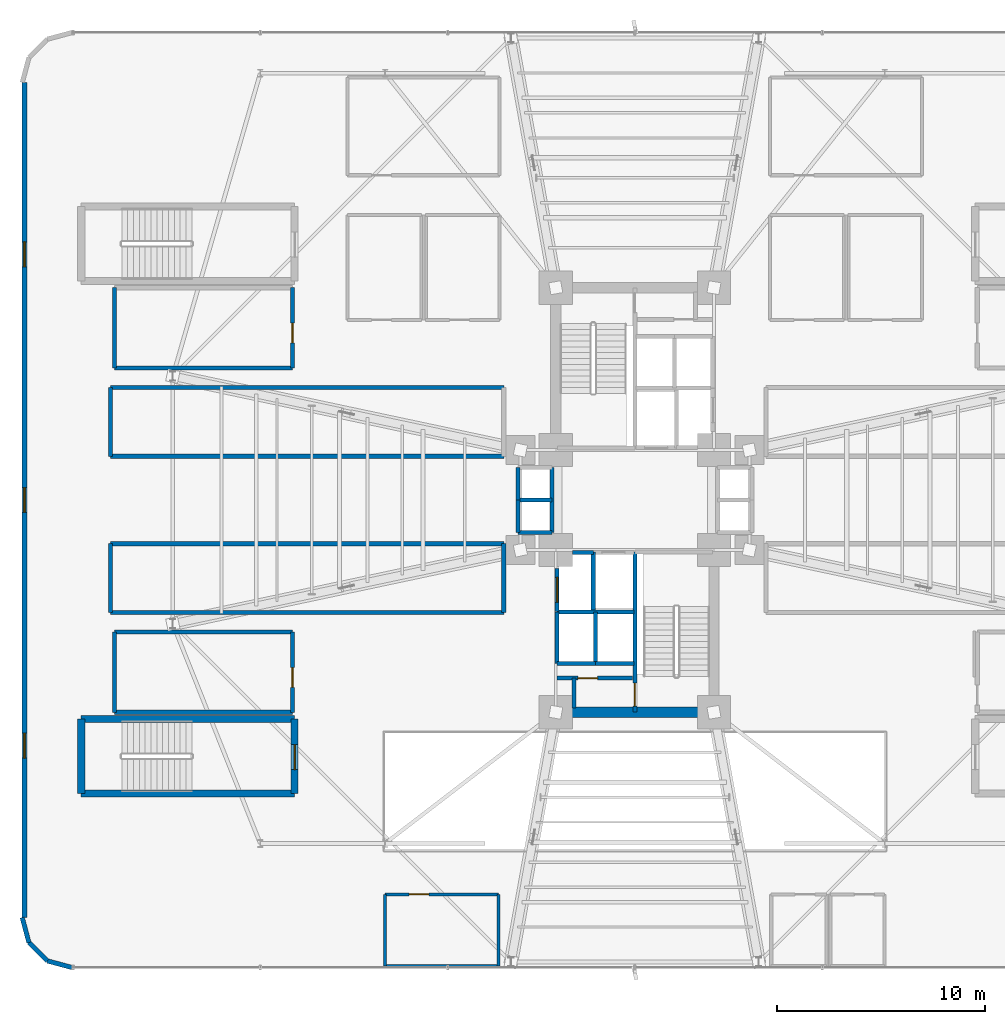
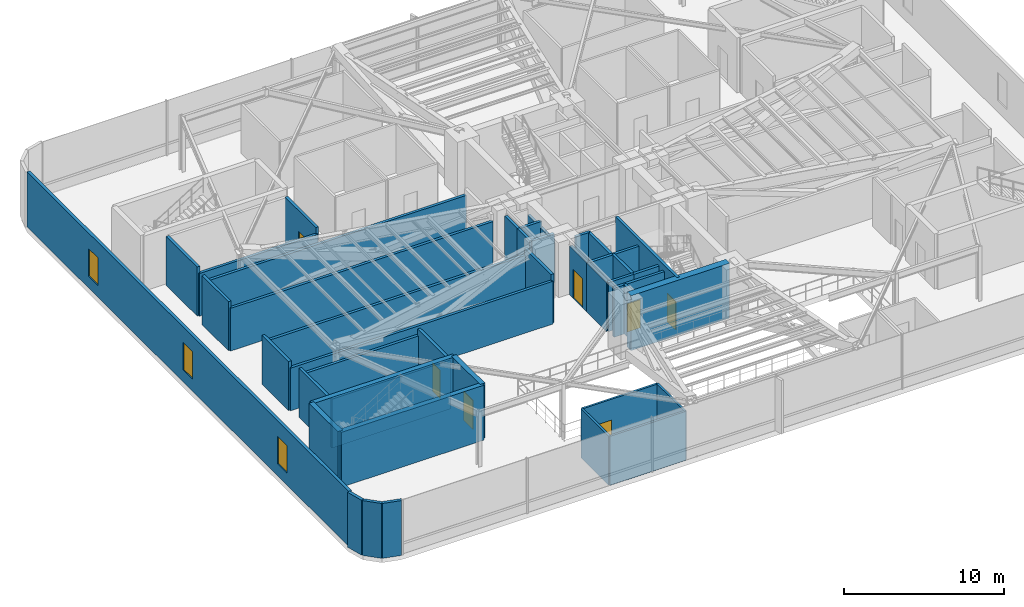
# One storey, part 24 of 32: 43 walls, 7 doors, 3 windows, 10 openings.
"""IFC4 building model written with IfcOpenShell, lengths in metres."""

from ifc_helpers import new_model, si_unit, direction, frame, frame_2d, origin, origin_2d, place, context, subcontext, project, spatial, rectangle, extrude, source, transform, mapped, material, layer, layer_set, type_object, element, fill, save


model = new_model("IFC4")

# Units and contexts
model_context = context("Model", 3, precision=1e-05, world=origin(), true_north=direction((0.0, 1.0)))
body_context = subcontext(model_context, "Body", "Model", "MODEL_VIEW")
ifc_project = project(units=[si_unit("LENGTHUNIT", "METRE"), si_unit("AREAUNIT", "SQUARE_METRE"), si_unit("VOLUMEUNIT", "CUBIC_METRE"), si_unit("PLANEANGLEUNIT", "RADIAN"), si_unit("MASSUNIT", "GRAM", prefix="KILO")], contexts=[model_context])

# Site, building, storey
site_placement = place(None, origin())
site = spatial("IfcSite", under=ifc_project, at=site_placement, CompositionType="ELEMENT")
building_placement = place(site_placement, origin())
building = spatial("IfcBuilding", under=site, at=building_placement, Name="Sahyath Konkavel Grand Hotel", CompositionType="ELEMENT")
storey_placement = place(building_placement, frame((0.0, 0.0, 14.10009765625)))
storey = spatial("IfcBuildingStorey", under=building, at=storey_placement, Name="L03", CompositionType="ELEMENT", Elevation=14.10009765625)

# Walls
ifc_material_1 = material(Name="Concrete C40/50", Category="concrete")
ifc_layer_1 = layer(ifc_material_1, 0.35009765625)
ifc_layer_set_1 = layer_set([ifc_layer_1], Name="Concrete C40/50")
wall_type_1 = type_object("IfcWallType", Name="CWALL-350", PredefinedType="SHEAR", material=ifc_layer_set_1)
for number, where, z_axis, x_axis, name in (
    (1, (-26.60009765625, -10.52001953125, 0.0), (0.0, 0.0, 1.0), (1.0, 0.0, 0.0), "L03 Partition ST-P3-N"),
    (2, (-26.60009765625, -14.10009765625, 0.0), (0.0, 0.0, 1.0), (1.0, 0.0, 0.0), "L03 Partition ST-P3-S"),
):
    element("IfcWall", number, at=place(storey_placement, frame(where, z_axis=z_axis, x_axis=x_axis)), inside=storey, type_object=wall_type_1, Name=name, PredefinedType="SHEAR", context=body_context, shape_type="SweptSolid", body=[
        extrude(rectangle(XDim=10.25, YDim=0.35009765625, at=frame_2d((5.125, 0.0))), origin(), (0.0, 0.0, 1.0), 4.179931640625),
    ])
wall_1_placement = place(storey_placement, frame((-26.60009765625, -14.10009765625, 0.0), z_axis=(0.0, 0.0, 1.0), x_axis=(0.0, 1.0, 0.0)))
element("IfcWall", 3, at=wall_1_placement, inside=storey, type_object=wall_type_1, Name="L03 Partition ST-P3-W", PredefinedType="SHEAR", context=body_context, shape_type="SweptSolid", body=[
    extrude(rectangle(XDim=3.580078125, YDim=0.35009765625, at=frame_2d((1.7900390625, 0.0))), origin(), (0.0, 0.0, 1.0), 4.179931640625),
])

# Wall, opening, door
wall_2_placement = place(storey_placement, frame((-16.35009765625, -14.10009765625, 0.0), z_axis=(0.0, 0.0, 1.0), x_axis=(0.0, 1.0, 0.0)))
wall_2 = element("IfcWall", 4, at=wall_2_placement, inside=storey, type_object=wall_type_1, Name="L03 Partition ST-P3-E", PredefinedType="SHEAR", context=body_context, shape_type="SweptSolid", body=[
    extrude(rectangle(XDim=3.580078125, YDim=0.35009765625, at=frame_2d((1.7900390625, 0.0))), origin(), (0.0, 0.0, 1.0), 4.179931640625),
])
opening_1_placement = place(wall_2_placement, frame((1.14990234375, 0.0, 0.0)))
opening_1 = element("IfcOpeningElement", 5, at=opening_1_placement, cuts=wall_2, Name="Opening D-F12A", PredefinedType="OPENING", context=body_context, shape_type="SweptSolid", body=[
    extrude(rectangle(XDim=1.199951171875, YDim=2.199951171875, at=frame_2d((0.60009765625, 1.10009765625))), frame((0.0, 0.18505859375, 0.0), z_axis=(0.0, -1.0, 0.0), x_axis=(1.0, 0.0, 0.0)), (0.0, 0.0, 1.0), 0.3701171875),
])
ifc_material_2 = material(Name="Steel E350 Fire Door", Category="steel")
door_type_1 = type_object("IfcDoorType", Name="DR-FD120-1200", OperationType="NOTDEFINED", PredefinedType="DOOR", material=ifc_material_2)
shared_shape_1 = source(origin(), body_context, "Body", "SweptSolid", [
    extrude(rectangle(XDim=1.199951171875, YDim=0.050048828125, at=origin_2d()), origin(), (0.0, 0.0, 1.0), 2.199951171875),
])
door_1_placement = place(opening_1_placement, frame((0.60009765625, 0.0, 0.0)))
door_1 = element("IfcDoor", 6, at=door_1_placement, inside=storey, type_object=door_type_1, Name="L03 ST-P3 Fire Door", OperationType="SINGLE_SWING_LEFT", OverallHeight=2.199951171875, OverallWidth=1.199951171875, PredefinedType="DOOR", context=body_context, shape_type="MappedRepresentation", body=[
    mapped(shared_shape_1, transform((0.0, 0.0, 0.0), scale=1.0)),
])
fill(opening_1, door_1)

# Walls
ifc_material_3 = material(Name="Concrete C70/85", Category="concrete")
ifc_layer_2 = layer(ifc_material_3, 0.5)
ifc_layer_set_2 = layer_set([ifc_layer_2], Name="Concrete C70/85")
wall_type_2 = type_object("IfcWallType", Name="CWALL-500", PredefinedType="SHEAR", material=ifc_layer_set_2)
wall_3_placement = place(storey_placement, frame((-3.550048828125, -10.199951171875, 0.0), z_axis=(0.0, 0.0, 1.0), x_axis=(1.0, 0.0, 0.0)))
element("IfcWall", 7, at=wall_3_placement, inside=storey, type_object=wall_type_2, Name="L03 South Core Shear Wall S", PredefinedType="SHEAR", context=body_context, shape_type="SweptSolid", body=[
    extrude(rectangle(XDim=7.10009765625, YDim=0.5, at=frame_2d((3.550048828125, 0.0))), origin(), (0.0, 0.0, 1.0), 4.179931640625),
])
ifc_material_4 = material(Name="Warm Buff Sandstone Insulated Concrete C40/50", Category="masonry")
ifc_layer_3 = layer(ifc_material_4, 0.219970703125)
ifc_layer_set_3 = layer_set([ifc_layer_3], Name="Warm Buff Sandstone Insulated Concrete C40/50")
wall_type_3 = type_object("IfcWallType", Name="WLL-BALC-THRESH", PredefinedType="STANDARD", material=ifc_layer_set_3)
wall_4_placement = place(storey_placement, frame((-29.43603515625, -20.06494140625, 0.0), z_axis=(0.0, 0.0, 1.0), x_axis=(0.258824494443, -0.965924366126, 0.0)))
element("IfcWall", 8, at=wall_4_placement, inside=storey, type_object=wall_type_3, Name="L03 Rounded Podium Corner Sandstone Pier 12", PredefinedType="STANDARD", context=body_context, shape_type="SweptSolid", body=[
    extrude(rectangle(XDim=1.2421875, YDim=0.219970703125, at=frame_2d((0.62109375, 0.0))), origin(), (0.0, 0.0, 1.0), 4.179931640625),
])
for number, where, z_axis, x_axis, name in (
    (9, (-29.114501953125, -21.264892578125, 0.0), (0.0, 0.0, 1.0), (0.707008524149, -0.707205024573, 0.0), "L03 Rounded Podium Corner Sandstone Pier 13"),
    (10, (-28.236083984375, -22.1435546875, 0.0), (0.0, 0.0, 1.0), (0.965937527666, -0.25877537102, 0.0), "L03 Rounded Podium Corner Sandstone Pier 14"),
):
    element("IfcWall", number, at=place(storey_placement, frame(where, z_axis=z_axis, x_axis=x_axis)), inside=storey, type_object=wall_type_3, Name=name, PredefinedType="STANDARD", context=body_context, shape_type="SweptSolid", body=[
        extrude(rectangle(XDim=1.242431640625, YDim=0.219970703125, at=frame_2d((0.62109375, 0.0))), origin(), (0.0, 0.0, 1.0), 4.179931640625),
    ])

# Wall, openings, windows
wall_5_placement = place(storey_placement, frame((-29.325927734375, 20.06494140625, 0.0), z_axis=(0.0, 0.0, 1.0), x_axis=(0.0, -1.0, 0.0)))
wall_5 = element("IfcWall", 11, at=wall_5_placement, inside=storey, type_object=wall_type_3, Name="L03 Sandstone Podium Facade Wall W", PredefinedType="STANDARD", context=body_context, shape_type="SweptSolid", body=[
    extrude(rectangle(XDim=40.1298828125, YDim=0.219970703125, at=frame_2d((20.06494140625, 0.0))), origin(), (0.0, 0.0, 1.0), 4.179931640625),
])
opening_2_placement = place(wall_5_placement, frame((31.264892578125, 0.0, 0.89990234375)))
opening_2 = element("IfcOpeningElement", 12, at=opening_2_placement, cuts=wall_5, Name="Opening W-PD2", PredefinedType="OPENING", context=body_context, shape_type="SweptSolid", body=[
    extrude(rectangle(XDim=1.199951171875, YDim=2.10009765625, at=frame_2d((0.60009765625, 1.050048828125))), frame((0.0, 0.1201171875, 0.0), z_axis=(0.0, -1.0, 0.0), x_axis=(1.0, 0.0, 0.0)), (0.0, 0.0, 1.0), 0.239990234375),
])
opening_3_placement = place(wall_5_placement, frame((19.465087890625, 0.0, 0.89990234375)))
opening_3 = element("IfcOpeningElement", 13, at=opening_3_placement, cuts=wall_5, Name="Opening W-PD2", PredefinedType="OPENING", context=body_context, shape_type="SweptSolid", body=[
    extrude(rectangle(XDim=1.199951171875, YDim=2.10009765625, at=frame_2d((0.60009765625, 1.050048828125))), frame((0.0, 0.1201171875, 0.0), z_axis=(0.0, -1.0, 0.0), x_axis=(1.0, 0.0, 0.0)), (0.0, 0.0, 1.0), 0.239990234375),
])
opening_4_placement = place(wall_5_placement, frame((7.6650390625, 0.0, 0.89990234375)))
opening_4 = element("IfcOpeningElement", 14, at=opening_4_placement, cuts=wall_5, Name="Opening W-PD2", PredefinedType="OPENING", context=body_context, shape_type="SweptSolid", body=[
    extrude(rectangle(XDim=1.199951171875, YDim=2.10009765625, at=frame_2d((0.60009765625, 1.050048828125))), frame((0.0, 0.1201171875, 0.0), z_axis=(0.0, -1.0, 0.0), x_axis=(1.0, 0.0, 0.0)), (0.0, 0.0, 1.0), 0.239990234375),
])
ifc_material_5 = material(Name="Anodised Bronze Aluminium & Low-E Glazing", Category="aluminium")
window_type = type_object("IfcWindowType", Name="WIN-POD-1200", PartitioningType="SINGLE_PANEL", PredefinedType="WINDOW", material=ifc_material_5)
shared_shape_2 = source(origin(), body_context, "Body", "SweptSolid", [
    extrude(rectangle(XDim=1.199951171875, YDim=0.06005859375, at=origin_2d()), origin(), (0.0, 0.0, 1.0), 2.10009765625),
])
window_1_placement = place(opening_2_placement, frame((0.60009765625, 0.0, 0.0)))
window_1 = element("IfcWindow", 15, at=window_1_placement, inside=storey, type_object=window_type, Name="L03 Podium Window W-1", OverallHeight=2.10009765625, OverallWidth=1.199951171875, PartitioningType="SINGLE_PANEL", PredefinedType="WINDOW", context=body_context, shape_type="MappedRepresentation", body=[
    mapped(shared_shape_2, transform((0.0, 0.0, 0.0), scale=1.0)),
])
fill(opening_2, window_1)
window_2_placement = place(opening_3_placement, frame((0.60009765625, 0.0, 0.0)))
window_2 = element("IfcWindow", 16, at=window_2_placement, inside=storey, type_object=window_type, Name="L03 Podium Window W-2", OverallHeight=2.10009765625, OverallWidth=1.199951171875, PartitioningType="SINGLE_PANEL", PredefinedType="WINDOW", context=body_context, shape_type="MappedRepresentation", body=[
    mapped(shared_shape_2, transform((0.0, 0.0, 0.0), scale=1.0)),
])
fill(opening_3, window_2)
window_3_placement = place(opening_4_placement, frame((0.60009765625, 0.0, 0.0)))
window_3 = element("IfcWindow", 17, at=window_3_placement, inside=storey, type_object=window_type, Name="L03 Podium Window W-3", OverallHeight=2.10009765625, OverallWidth=1.199951171875, PartitioningType="SINGLE_PANEL", PredefinedType="WINDOW", context=body_context, shape_type="MappedRepresentation", body=[
    mapped(shared_shape_2, transform((0.0, 0.0, 0.0), scale=1.0)),
])
fill(opening_4, window_3)

# Wall, opening, door
ifc_layer_4 = layer(ifc_material_1, 0.199951171875)
ifc_layer_set_4 = layer_set([ifc_layer_4], Name="Concrete C40/50")
wall_type_4 = type_object("IfcWallType", Name="WLL-CORE-200", PredefinedType="SOLIDWALL", material=ifc_layer_set_4)
wall_6_placement = place(storey_placement, frame((0.0, -10.179931640625, 0.0), z_axis=(0.0, 0.0, 1.0), x_axis=(0.0, 1.0, 0.0)))
wall_6 = element("IfcWall", 18, at=wall_6_placement, inside=storey, type_object=wall_type_4, Name="L03 Stair ST-2 Shaft Wall W", PredefinedType="SOLIDWALL", context=body_context, shape_type="SweptSolid", body=[
    extrude(rectangle(XDim=7.679931640625, YDim=0.199951171875, at=frame_2d((3.83984375, 0.0))), origin(), (0.0, 0.0, 1.0), 4.179931640625),
])
opening_5_placement = place(wall_6_placement, frame((0.280029296875, 0.0, 0.0)))
opening_5 = element("IfcOpeningElement", 19, at=opening_5_placement, cuts=wall_6, Name="Opening D-F12B", PredefinedType="OPENING", context=body_context, shape_type="SweptSolid", body=[
    extrude(rectangle(XDim=1.10009765625, YDim=2.14990234375, at=frame_2d((0.550048828125, 1.074951171875))), frame((0.0, 0.10986328125, 0.0), z_axis=(0.0, -1.0, 0.0), x_axis=(1.0, 0.0, 0.0)), (0.0, 0.0, 1.0), 0.219970703125),
])
ifc_material_6 = material(Name="Steel E350 Smokeproof Fire Door", Category="steel")
door_type_2 = type_object("IfcDoorType", Name="DR-FD120-1100", OperationType="NOTDEFINED", PredefinedType="DOOR", material=ifc_material_6)
shared_shape_3 = source(origin(), body_context, "Body", "SweptSolid", [
    extrude(rectangle(XDim=1.10009765625, YDim=0.050048828125, at=origin_2d()), origin(), (0.0, 0.0, 1.0), 2.14990234375),
])
door_2_placement = place(opening_5_placement, frame((0.550048828125, 0.0, 0.0)))
door_2 = element("IfcDoor", 20, at=door_2_placement, inside=storey, type_object=door_type_2, Name="L03 Stair ST-2 Fire Door", OperationType="SINGLE_SWING_LEFT", OverallHeight=2.14990234375, OverallWidth=1.10009765625, PredefinedType="DOOR", context=body_context, shape_type="MappedRepresentation", body=[
    mapped(shared_shape_3, transform((0.0, 0.0, 0.0), scale=1.0)),
])
fill(opening_5, door_2)

# Walls
wall_7_placement = place(storey_placement, frame((-2.0, -5.280029296875, 0.0), z_axis=(0.0, 0.0, 1.0), x_axis=(0.0, 1.0, 0.0)))
element("IfcWall", 21, at=wall_7_placement, inside=storey, type_object=wall_type_4, Name="L03 Partition SH-FFL2-W", PredefinedType="SOLIDWALL", context=body_context, shape_type="SweptSolid", body=[
    extrude(rectangle(XDim=2.780029296875, YDim=0.199951171875, at=frame_2d((1.39013671875, 0.0))), origin(), (0.0, 0.0, 1.0), 3.72998046875),
])
wall_8_placement = place(storey_placement, frame((-3.0, -2.52001953125, 0.0), z_axis=(0.0, 0.0, 1.0), x_axis=(1.0, 0.0, 0.0)))
element("IfcWall", 22, at=wall_8_placement, inside=storey, type_object=wall_type_4, Name="L03 Partition SH-SVL2-N", PredefinedType="SOLIDWALL", context=body_context, shape_type="SweptSolid", body=[
    extrude(rectangle(XDim=1.0, YDim=0.199951171875, at=frame_2d((0.5, 0.0))), origin(), (0.0, 0.0, 1.0), 3.72998046875),
])

# Wall, opening, door
wall_9_placement = place(storey_placement, frame((-3.739990234375, -5.360107421875, 0.0), z_axis=(0.0, 0.0, 1.0), x_axis=(0.0, 1.0, 0.0)))
wall_9 = element("IfcWall", 23, at=wall_9_placement, inside=storey, type_object=wall_type_4, Name="L03 Partition SH-SVL2-W", PredefinedType="SOLIDWALL", context=body_context, shape_type="SweptSolid", body=[
    extrude(rectangle(XDim=2.080078125, YDim=0.199951171875, at=frame_2d((1.0400390625, 0.0))), origin(), (0.0, 0.0, 1.0), 3.72998046875),
])
opening_6_placement = place(wall_9_placement, frame((0.43994140625, 0.0, 0.0)))
opening_6 = element("IfcOpeningElement", 24, at=opening_6_placement, cuts=wall_9, Name="Opening LD-12", PredefinedType="OPENING", context=body_context, shape_type="SweptSolid", body=[
    extrude(rectangle(XDim=1.199951171875, YDim=2.199951171875, at=frame_2d((0.60009765625, 1.10009765625))), frame((0.0, 0.10986328125, 0.0), z_axis=(0.0, -1.0, 0.0), x_axis=(1.0, 0.0, 0.0)), (0.0, 0.0, 1.0), 0.219970703125),
])
ifc_material_7 = material(Name="Stainless Steel Lift Landing Door 1200", Category="steel")
door_type_3 = type_object("IfcDoorType", Name="DR-LIFT-1200", OperationType="DOUBLE_DOOR_SLIDING", PredefinedType="DOOR", material=ifc_material_7)
door_3_placement = place(opening_6_placement, frame((0.60009765625, 0.0, 0.0)))
door_3 = element("IfcDoor", 25, at=door_3_placement, inside=storey, type_object=door_type_3, Name="L03 Service Lift SVL-2 Landing Door", OperationType="DOUBLE_DOOR_SLIDING", OverallHeight=2.199951171875, OverallWidth=1.199951171875, PredefinedType="DOOR", context=body_context, shape_type="MappedRepresentation", body=[
    mapped(shared_shape_1, transform((0.0, 0.0, 0.0), scale=1.0)),
])
fill(opening_6, door_3)

# Walls
wall_10_placement = place(storey_placement, frame((-3.739990234375, -7.860107421875, 0.0), z_axis=(0.0, 0.0, 1.0), x_axis=(0.0, 1.0, 0.0)))
element("IfcWall", 26, at=wall_10_placement, inside=storey, type_object=wall_type_4, Name="L03 Partition SH-PL3-W", PredefinedType="SOLIDWALL", context=body_context, shape_type="SweptSolid", body=[
    extrude(rectangle(XDim=2.480224609375, YDim=0.199951171875, at=frame_2d((1.240234375, 0.0))), origin(), (0.0, 0.0, 1.0), 3.72998046875),
])
wall_11_placement = place(storey_placement, frame((-3.739990234375, -7.860107421875, 0.0), z_axis=(0.0, 0.0, 1.0), x_axis=(1.0, 0.0, 0.0)))
element("IfcWall", 27, at=wall_11_placement, inside=storey, type_object=wall_type_4, Name="L03 Partition SH-PL3-S", PredefinedType="SOLIDWALL", context=body_context, shape_type="SweptSolid", body=[
    extrude(rectangle(XDim=1.840087890625, YDim=0.199951171875, at=frame_2d((0.919921875, 0.0))), origin(), (0.0, 0.0, 1.0), 3.72998046875),
])
wall_12_placement = place(storey_placement, frame((-3.739990234375, -5.3798828125, 0.0), z_axis=(0.0, 0.0, 1.0), x_axis=(1.0, 0.0, 0.0)))
element("IfcWall", 28, at=wall_12_placement, inside=storey, type_object=wall_type_4, Name="L03 Partition SH-PL34-N", PredefinedType="SOLIDWALL", context=body_context, shape_type="SweptSolid", body=[
    extrude(rectangle(XDim=3.68994140625, YDim=0.199951171875, at=frame_2d((1.844970703125, 0.0))), origin(), (0.0, 0.0, 1.0), 3.72998046875),
])
wall_13_placement = place(storey_placement, frame((-1.89990234375, -7.860107421875, 0.0), z_axis=(0.0, 0.0, 1.0), x_axis=(0.0, 1.0, 0.0)))
element("IfcWall", 29, at=wall_13_placement, inside=storey, type_object=wall_type_4, Name="L03 Partition SH-PL34-M", PredefinedType="SOLIDWALL", context=body_context, shape_type="SweptSolid", body=[
    extrude(rectangle(XDim=2.480224609375, YDim=0.199951171875, at=frame_2d((1.240234375, 0.0))), origin(), (0.0, 0.0, 1.0), 3.72998046875),
])
wall_14_placement = place(storey_placement, frame((-1.89990234375, -7.860107421875, 0.0), z_axis=(0.0, 0.0, 1.0), x_axis=(1.0, 0.0, 0.0)))
element("IfcWall", 30, at=wall_14_placement, inside=storey, type_object=wall_type_4, Name="L03 Partition SH-PL4-S", PredefinedType="SOLIDWALL", context=body_context, shape_type="SweptSolid", body=[
    extrude(rectangle(XDim=1.849853515625, YDim=0.199951171875, at=frame_2d((0.9248046875, 0.0))), origin(), (0.0, 0.0, 1.0), 3.72998046875),
])
wall_15_placement = place(storey_placement, frame((-3.97998046875, -1.56005859375, 0.0), z_axis=(0.0, 0.0, 1.0), x_axis=(0.0, 1.0, 0.0)))
element("IfcWall", 31, at=wall_15_placement, inside=storey, type_object=wall_type_4, Name="L03 Partition SH-SL12-E", PredefinedType="SOLIDWALL", context=body_context, shape_type="SweptSolid", body=[
    extrude(rectangle(XDim=3.1201171875, YDim=0.199951171875, at=frame_2d((1.56005859375, 0.0))), origin(), (0.0, 0.0, 1.0), 3.25),
])
for number, where, z_axis, x_axis, name in (
    (32, (-5.6201171875, -1.56005859375, 0.0), (0.0, 0.0, 1.0), (1.0, 0.0, 0.0), "L03 Partition SH-SL12-S"),
    (33, (-5.6201171875, 0.0, 0.0), (0.0, 0.0, 1.0), (1.0, 0.0, 0.0), "L03 Partition SH-SL12-M"),
):
    element("IfcWall", number, at=place(storey_placement, frame(where, z_axis=z_axis, x_axis=x_axis)), inside=storey, type_object=wall_type_4, Name=name, PredefinedType="SOLIDWALL", context=body_context, shape_type="SweptSolid", body=[
        extrude(rectangle(XDim=1.64013671875, YDim=0.199951171875, at=frame_2d((0.820068359375, 0.0))), origin(), (0.0, 0.0, 1.0), 3.72998046875),
    ])
for number, where, z_axis, x_axis, name in (
    (34, (-5.6201171875, 0.0, 0.0), (0.0, 0.0, 1.0), (0.0, 1.0, 0.0), "L03 Partition SH-SL1-W"),
    (35, (-5.6201171875, -1.56005859375, 0.0), (0.0, 0.0, 1.0), (0.0, 1.0, 0.0), "L03 Partition SH-SL2-W"),
):
    element("IfcWall", number, at=place(storey_placement, frame(where, z_axis=z_axis, x_axis=x_axis)), inside=storey, type_object=wall_type_4, Name=name, PredefinedType="SOLIDWALL", context=body_context, shape_type="SweptSolid", body=[
        extrude(rectangle(XDim=1.56005859375, YDim=0.199951171875, at=frame_2d((0.780029296875, 0.0))), origin(), (0.0, 0.0, 1.0), 3.72998046875),
    ])

# Wall, opening, door
wall_16_placement = place(storey_placement, frame((-3.739990234375, -8.56005859375, 0.0), z_axis=(0.0, 0.0, 1.0), x_axis=(1.0, 0.0, 0.0)))
wall_16 = element("IfcWall", 36, at=wall_16_placement, inside=storey, type_object=wall_type_4, Name="L03 South FF Lobby Separation Wall", PredefinedType="SOLIDWALL", context=body_context, shape_type="SweptSolid", body=[
    extrude(rectangle(XDim=3.619873046875, YDim=0.199951171875, at=frame_2d((1.81005859375, 0.0))), origin(), (0.0, 0.0, 1.0), 3.72998046875),
])
opening_7_placement = place(wall_16_placement, frame((1.0, 0.0, 0.0)))
opening_7 = element("IfcOpeningElement", 37, at=opening_7_placement, cuts=wall_16, Name="Opening D-F12C", PredefinedType="OPENING", context=body_context, shape_type="SweptSolid", body=[
    extrude(rectangle(XDim=0.949951171875, YDim=2.14990234375, at=frame_2d((0.47509765625, 1.074951171875))), frame((0.0, 0.10986328125, 0.0), z_axis=(0.0, -1.0, 0.0), x_axis=(1.0, 0.0, 0.0)), (0.0, 0.0, 1.0), 0.219970703125),
])
ifc_material_8 = material(Name="Steel E350 Plant Fire Door", Category="steel")
door_type_4 = type_object("IfcDoorType", Name="DR-FD120-950", OperationType="NOTDEFINED", PredefinedType="DOOR", material=ifc_material_8)
shared_shape_4 = source(origin(), body_context, "Body", "SweptSolid", [
    extrude(rectangle(XDim=0.949951171875, YDim=0.050048828125, at=origin_2d()), origin(), (0.0, 0.0, 1.0), 2.14990234375),
])
door_4_placement = place(opening_7_placement, frame((0.47509765625, 0.0, 0.0)))
door_4 = element("IfcDoor", 38, at=door_4_placement, inside=storey, type_object=door_type_4, Name="L03 South Firefighting Lobby Door", OperationType="SINGLE_SWING_RIGHT", OverallHeight=2.14990234375, OverallWidth=0.949951171875, PredefinedType="DOOR", context=body_context, shape_type="MappedRepresentation", body=[
    mapped(shared_shape_4, transform((0.0, 0.0, 0.0), scale=1.0)),
])
fill(opening_7, door_4)

# Walls
wall_17_placement = place(storey_placement, frame((-2.919921875, -10.0, 0.0), z_axis=(0.0, 0.0, 1.0), x_axis=(0.0, 1.0, 0.0)))
element("IfcWall", 39, at=wall_17_placement, inside=storey, type_object=wall_type_4, Name="L03 Partition SFF-W2", PredefinedType="SOLIDWALL", context=body_context, shape_type="SweptSolid", body=[
    extrude(rectangle(XDim=1.43994140625, YDim=0.199951171875, at=frame_2d((0.719970703125, 0.0))), origin(), (0.0, 0.0, 1.0), 3.72998046875),
])
for number, where, z_axis, x_axis, name in (
    (40, (-25.199951171875, 5.39990234375, 0.0), (0.0, 0.0, 1.0), (1.0, 0.0, 0.0), "L03 Partition L03-TPL-NW-N"),
    (41, (-25.199951171875, 2.10009765625, 0.0), (0.0, 0.0, 1.0), (1.0, 0.0, 0.0), "L03 Partition L03-TPL-NW-S"),
):
    element("IfcWall", number, at=place(storey_placement, frame(where, z_axis=z_axis, x_axis=x_axis)), inside=storey, type_object=wall_type_4, Name=name, PredefinedType="SOLIDWALL", context=body_context, shape_type="SweptSolid", body=[
        extrude(rectangle(XDim=18.89990234375, YDim=0.199951171875, at=frame_2d((9.449951171875, 0.0))), origin(), (0.0, 0.0, 1.0), 3.25),
    ])
wall_18_placement = place(storey_placement, frame((-25.199951171875, 2.10009765625, 0.0), z_axis=(0.0, 0.0, 1.0), x_axis=(0.0, 1.0, 0.0)))
element("IfcWall", 42, at=wall_18_placement, inside=storey, type_object=wall_type_4, Name="L03 Partition L03-TPL-NW-W", PredefinedType="SOLIDWALL", context=body_context, shape_type="SweptSolid", body=[
    extrude(rectangle(XDim=3.2998046875, YDim=0.199951171875, at=frame_2d((1.64990234375, 0.0))), origin(), (0.0, 0.0, 1.0), 3.72998046875),
])
for number, where, z_axis, x_axis, name in (
    (43, (-25.199951171875, -2.10009765625, 0.0), (0.0, 0.0, 1.0), (1.0, 0.0, 0.0), "L03 Partition L03-TPL-SW-N"),
    (44, (-25.199951171875, -5.39990234375, 0.0), (0.0, 0.0, 1.0), (1.0, 0.0, 0.0), "L03 Partition L03-TPL-SW-S"),
):
    element("IfcWall", number, at=place(storey_placement, frame(where, z_axis=z_axis, x_axis=x_axis)), inside=storey, type_object=wall_type_4, Name=name, PredefinedType="SOLIDWALL", context=body_context, shape_type="SweptSolid", body=[
        extrude(rectangle(XDim=18.89990234375, YDim=0.199951171875, at=frame_2d((9.449951171875, 0.0))), origin(), (0.0, 0.0, 1.0), 3.25),
    ])
for number, where, z_axis, x_axis, name in (
    (45, (-25.199951171875, -5.39990234375, 0.0), (0.0, 0.0, 1.0), (0.0, 1.0, 0.0), "L03 Partition L03-TPL-SW-W"),
    (46, (-6.300048828125, -5.39990234375, 0.0), (0.0, 0.0, 1.0), (0.0, 1.0, 0.0), "L03 Partition L03-TPL-SW-E"),
):
    element("IfcWall", number, at=place(storey_placement, frame(where, z_axis=z_axis, x_axis=x_axis)), inside=storey, type_object=wall_type_4, Name=name, PredefinedType="SOLIDWALL", context=body_context, shape_type="SweptSolid", body=[
        extrude(rectangle(XDim=3.2998046875, YDim=0.199951171875, at=frame_2d((1.64990234375, 0.0))), origin(), (0.0, 0.0, 1.0), 3.72998046875),
    ])
wall_19_placement = place(storey_placement, frame((-25.0, 6.35009765625, 0.0), z_axis=(0.0, 0.0, 1.0), x_axis=(1.0, 0.0, 0.0)))
element("IfcWall", 47, at=wall_19_placement, inside=storey, type_object=wall_type_4, Name="L03 Partition L03-AHU-W-S", PredefinedType="SOLIDWALL", context=body_context, shape_type="SweptSolid", body=[
    extrude(rectangle(XDim=8.550048828125, YDim=0.199951171875, at=frame_2d((4.27490234375, 0.0))), origin(), (0.0, 0.0, 1.0), 3.25),
])
wall_20_placement = place(storey_placement, frame((-25.0, 6.35009765625, 0.0), z_axis=(0.0, 0.0, 1.0), x_axis=(0.0, 1.0, 0.0)))
element("IfcWall", 48, at=wall_20_placement, inside=storey, type_object=wall_type_4, Name="L03 Partition L03-AHU-W-W", PredefinedType="SOLIDWALL", context=body_context, shape_type="SweptSolid", body=[
    extrude(rectangle(XDim=3.849853515625, YDim=0.199951171875, at=frame_2d((1.9248046875, 0.0))), origin(), (0.0, 0.0, 1.0), 3.72998046875),
])

# Wall, opening, door
wall_21_placement = place(storey_placement, frame((-16.449951171875, 6.35009765625, 0.0), z_axis=(0.0, 0.0, 1.0), x_axis=(0.0, 1.0, 0.0)))
wall_21 = element("IfcWall", 49, at=wall_21_placement, inside=storey, type_object=wall_type_4, Name="L03 Partition L03-AHU-W-E", PredefinedType="SOLIDWALL", context=body_context, shape_type="SweptSolid", body=[
    extrude(rectangle(XDim=3.849853515625, YDim=0.199951171875, at=frame_2d((1.9248046875, 0.0))), origin(), (0.0, 0.0, 1.0), 3.72998046875),
])
opening_8_placement = place(wall_21_placement, frame((1.199951171875, 0.0, 0.0)))
opening_8 = element("IfcOpeningElement", 50, at=opening_8_placement, cuts=wall_21, Name="Opening D-F12C", PredefinedType="OPENING", context=body_context, shape_type="SweptSolid", body=[
    extrude(rectangle(XDim=0.949951171875, YDim=2.14990234375, at=frame_2d((0.47509765625, 1.074951171875))), frame((0.0, 0.10986328125, 0.0), z_axis=(0.0, -1.0, 0.0), x_axis=(1.0, 0.0, 0.0)), (0.0, 0.0, 1.0), 0.219970703125),
])
door_5_placement = place(opening_8_placement, frame((0.47509765625, 0.0, 0.0)))
door_5 = element("IfcDoor", 51, at=door_5_placement, inside=storey, type_object=door_type_4, Name="L03 Door L03-AHU-W-D", OperationType="SINGLE_SWING_LEFT", OverallHeight=2.14990234375, OverallWidth=0.949951171875, PredefinedType="DOOR", context=body_context, shape_type="MappedRepresentation", body=[
    mapped(shared_shape_4, transform((0.0, 0.0, 0.0), scale=1.0)),
])
fill(opening_8, door_5)

# Walls
wall_22_placement = place(storey_placement, frame((-25.0, -6.35009765625, 0.0), z_axis=(0.0, 0.0, 1.0), x_axis=(1.0, 0.0, 0.0)))
element("IfcWall", 52, at=wall_22_placement, inside=storey, type_object=wall_type_4, Name="L03 Partition L03-SWG-W-N", PredefinedType="SOLIDWALL", context=body_context, shape_type="SweptSolid", body=[
    extrude(rectangle(XDim=8.550048828125, YDim=0.199951171875, at=frame_2d((4.27490234375, 0.0))), origin(), (0.0, 0.0, 1.0), 3.25),
])
wall_23_placement = place(storey_placement, frame((-25.0, -10.199951171875, 0.0), z_axis=(0.0, 0.0, 1.0), x_axis=(1.0, 0.0, 0.0)))
element("IfcWall", 53, at=wall_23_placement, inside=storey, type_object=wall_type_4, Name="L03 Partition L03-SWG-W-S", PredefinedType="SOLIDWALL", context=body_context, shape_type="SweptSolid", body=[
    extrude(rectangle(XDim=8.550048828125, YDim=0.199951171875, at=frame_2d((4.27490234375, 0.0))), origin(), (0.0, 0.0, 1.0), 3.72998046875),
])
wall_24_placement = place(storey_placement, frame((-25.0, -10.199951171875, 0.0), z_axis=(0.0, 0.0, 1.0), x_axis=(0.0, 1.0, 0.0)))
element("IfcWall", 54, at=wall_24_placement, inside=storey, type_object=wall_type_4, Name="L03 Partition L03-SWG-W-W", PredefinedType="SOLIDWALL", context=body_context, shape_type="SweptSolid", body=[
    extrude(rectangle(XDim=3.849853515625, YDim=0.199951171875, at=frame_2d((1.9248046875, 0.0))), origin(), (0.0, 0.0, 1.0), 3.72998046875),
])

# Wall, opening, door
wall_25_placement = place(storey_placement, frame((-16.449951171875, -10.199951171875, 0.0), z_axis=(0.0, 0.0, 1.0), x_axis=(0.0, 1.0, 0.0)))
wall_25 = element("IfcWall", 55, at=wall_25_placement, inside=storey, type_object=wall_type_4, Name="L03 Partition L03-SWG-W-E", PredefinedType="SOLIDWALL", context=body_context, shape_type="SweptSolid", body=[
    extrude(rectangle(XDim=3.849853515625, YDim=0.199951171875, at=frame_2d((1.9248046875, 0.0))), origin(), (0.0, 0.0, 1.0), 3.72998046875),
])
opening_9_placement = place(wall_25_placement, frame((1.199951171875, 0.0, 0.0)))
opening_9 = element("IfcOpeningElement", 56, at=opening_9_placement, cuts=wall_25, Name="Opening D-F12C", PredefinedType="OPENING", context=body_context, shape_type="SweptSolid", body=[
    extrude(rectangle(XDim=0.949951171875, YDim=2.14990234375, at=frame_2d((0.47509765625, 1.074951171875))), frame((0.0, 0.10986328125, 0.0), z_axis=(0.0, -1.0, 0.0), x_axis=(1.0, 0.0, 0.0)), (0.0, 0.0, 1.0), 0.219970703125),
])
door_6_placement = place(opening_9_placement, frame((0.47509765625, 0.0, 0.0)))
door_6 = element("IfcDoor", 57, at=door_6_placement, inside=storey, type_object=door_type_4, Name="L03 Door L03-SWG-W-D", OperationType="SINGLE_SWING_LEFT", OverallHeight=2.14990234375, OverallWidth=0.949951171875, PredefinedType="DOOR", context=body_context, shape_type="MappedRepresentation", body=[
    mapped(shared_shape_4, transform((0.0, 0.0, 0.0), scale=1.0)),
])
fill(opening_9, door_6)

ifc_material_9 = material(Name="Fire-Rated Gypsum Plasterboard Partition")
ifc_layer_5 = layer(ifc_material_9, 0.14990234375)
ifc_layer_set_5 = layer_set([ifc_layer_5], Name="Fire-Rated Gypsum Plasterboard Partition")
wall_type_5 = type_object("IfcWallType", Name="WLL-PART-150", PredefinedType="PARTITIONING", material=ifc_layer_set_5)
wall_26_placement = place(storey_placement, frame((-12.0, -18.949951171875, 0.0), z_axis=(0.0, 0.0, 1.0), x_axis=(1.0, 0.0, 0.0)))
wall_26 = element("IfcWall", 58, at=wall_26_placement, inside=storey, type_object=wall_type_5, Name="L03 Partition L03-BIZ-N", PredefinedType="PARTITIONING", context=body_context, shape_type="SweptSolid", body=[
    extrude(rectangle(XDim=5.449951171875, YDim=0.14990234375, at=frame_2d((2.72509765625, 0.0))), origin(), (0.0, 0.0, 1.0), 3.72998046875),
])
opening_10_placement = place(wall_26_placement, frame((1.14990234375, 0.0, 0.0)))
opening_10 = element("IfcOpeningElement", 59, at=opening_10_placement, cuts=wall_26, Name="Opening D-F06B", PredefinedType="OPENING", context=body_context, shape_type="SweptSolid", body=[
    extrude(rectangle(XDim=0.949951171875, YDim=2.14990234375, at=frame_2d((0.47509765625, 1.074951171875))), frame((0.0, 0.0849609375, 0.0), z_axis=(0.0, -1.0, 0.0), x_axis=(1.0, 0.0, 0.0)), (0.0, 0.0, 1.0), 0.169921875),
])
ifc_material_10 = material(Name="Teak Veneer Fire-Rated Guest Entrance Door")
door_type_5 = type_object("IfcDoorType", Name="DR-FD60-950", OperationType="NOTDEFINED", PredefinedType="DOOR", material=ifc_material_10)
door_7_placement = place(opening_10_placement, frame((0.47509765625, 0.0, 0.0)))
door_7 = element("IfcDoor", 60, at=door_7_placement, inside=storey, type_object=door_type_5, Name="L03 Door L03-BIZ-D", OperationType="SINGLE_SWING_LEFT", OverallHeight=2.14990234375, OverallWidth=0.949951171875, PredefinedType="DOOR", context=body_context, shape_type="MappedRepresentation", body=[
    mapped(shared_shape_4, transform((0.0, 0.0, 0.0), scale=1.0)),
])
fill(opening_10, door_7)

# Walls
wall_27_placement = place(storey_placement, frame((-12.0, -22.39990234375, 0.0), z_axis=(0.0, 0.0, 1.0), x_axis=(1.0, 0.0, 0.0)))
element("IfcWall", 61, at=wall_27_placement, inside=storey, type_object=wall_type_5, Name="L03 Partition L03-BIZ-S", PredefinedType="PARTITIONING", context=body_context, shape_type="SweptSolid", body=[
    extrude(rectangle(XDim=5.449951171875, YDim=0.14990234375, at=frame_2d((2.72509765625, 0.0))), origin(), (0.0, 0.0, 1.0), 3.72998046875),
])
for number, where, z_axis, x_axis, name in (
    (62, (-12.0, -22.39990234375, 0.0), (0.0, 0.0, 1.0), (0.0, 1.0, 0.0), "L03 Partition L03-BIZ-W"),
    (63, (-6.550048828125, -22.39990234375, 0.0), (0.0, 0.0, 1.0), (0.0, 1.0, 0.0), "L03 Partition L03-BIZ-E"),
):
    element("IfcWall", number, at=place(storey_placement, frame(where, z_axis=z_axis, x_axis=x_axis)), inside=storey, type_object=wall_type_5, Name=name, PredefinedType="PARTITIONING", context=body_context, shape_type="SweptSolid", body=[
        extrude(rectangle(XDim=3.449951171875, YDim=0.14990234375, at=frame_2d((1.72509765625, 0.0))), origin(), (0.0, 0.0, 1.0), 3.72998046875),
    ])

save(model, "model.ifc")
